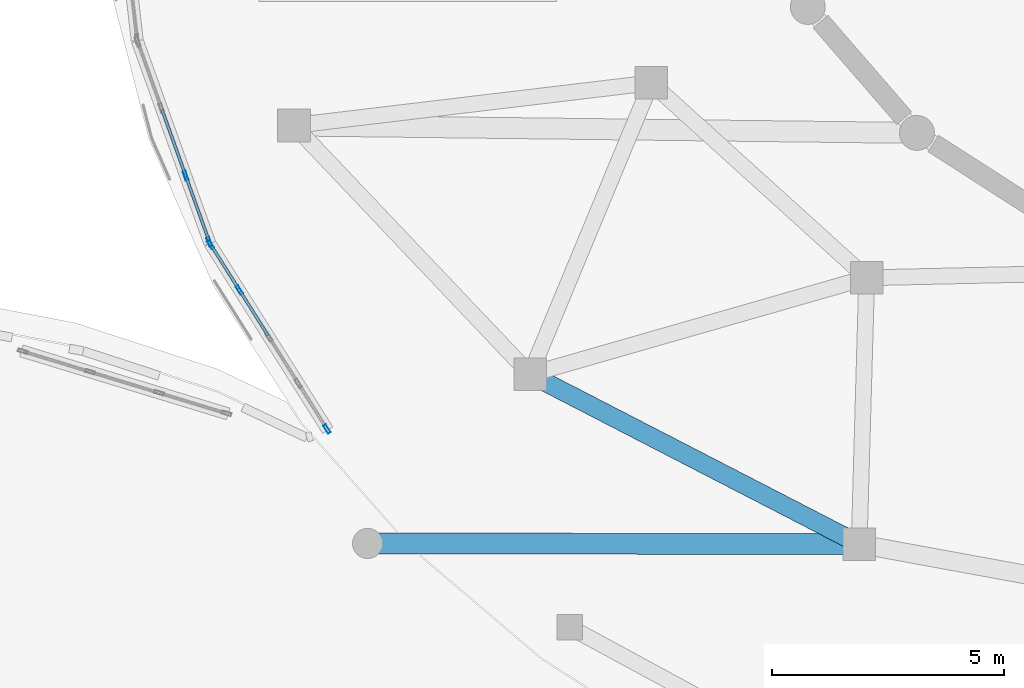
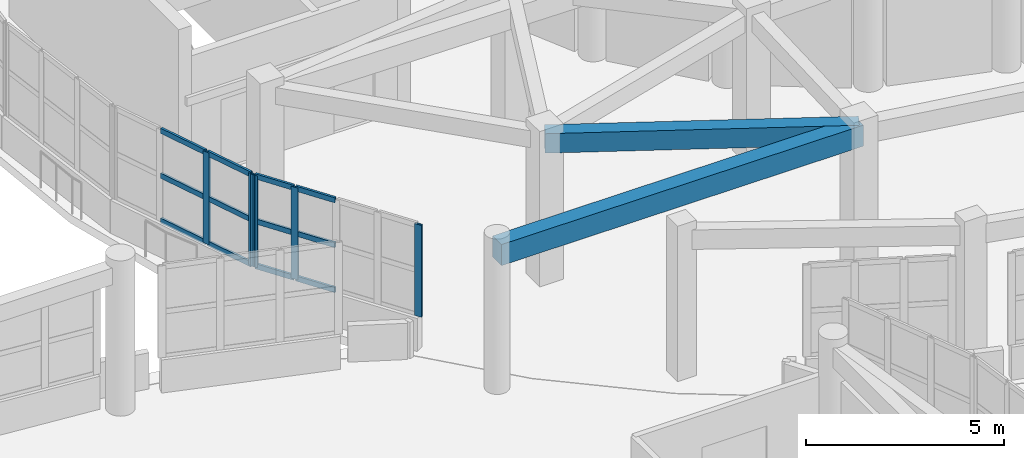
# One storey, part 35 of 98: 17 members, 2 beams, 2 elements without a shape of their own.
"""IFC4 building model written with IfcOpenShell, lengths in metres."""

from ifc_helpers import new_model, si_unit, direction, frame, origin, origin_2d, place, context, subcontext, project, spatial, rectangle, hollow_rectangle, extrude, material, layer, layer_set, material_profile, profile_set, type_object, element, aggregate, save


model = new_model("IFC4")

# Units and contexts
model_context = context("Model", 3, precision=1e-05, world=origin(), true_north=direction((0.0, 1.0)))
body_context = subcontext(model_context, "Body", "Model", "MODEL_VIEW")
ifc_project = project(units=[si_unit("LENGTHUNIT", "METRE"), si_unit("AREAUNIT", "SQUARE_METRE"), si_unit("VOLUMEUNIT", "CUBIC_METRE"), si_unit("PLANEANGLEUNIT", "RADIAN"), si_unit("MASSUNIT", "GRAM", prefix="KILO")], contexts=[model_context])

# Site, building, storey
site_placement = place(None, origin())
site = spatial("IfcSite", under=ifc_project, at=site_placement, CompositionType="ELEMENT")
building_placement = place(site_placement, origin())
building = spatial("IfcBuilding", under=site, at=building_placement, Name="Pelvatis Terrace Science Centre", CompositionType="ELEMENT")
storey_placement = place(building_placement, frame((0.0, 0.0, 5.39990234375)))
storey = spatial("IfcBuildingStorey", under=building, at=storey_placement, Name="L01", CompositionType="ELEMENT", Elevation=5.39990234375)

# Beams
ifc_material_1 = material(Name="Concrete C35/45", Category="concrete")
ifc_material_profile_1 = material_profile(ifc_material_1, rectangle(XDim=0.39990234375, YDim=0.60009765625, at=origin_2d()), Name="RC-BM 400x600")
ifc_profile_set_1 = profile_set([ifc_material_profile_1], Name="Concrete C35/45")
beam_type_1 = type_object("IfcBeamType", Name="BM-RC-400x600", PredefinedType="BEAM", material=ifc_profile_set_1)
beam_1_placement = place(storey_placement, frame((92.62744140625, 71.0849609375, 4.239990234375), z_axis=(0.888740331854, -0.458410975585, 0.0), x_axis=(0.458410975585, 0.888740331854, 0.0)))
element("IfcBeam", 1, at=beam_1_placement, inside=storey, type_object=beam_type_1, Name="Beam BM-L01-2638", PredefinedType="BEAM", context=body_context, shape_type="SweptSolid", body=[
    extrude(rectangle(XDim=0.39990234375, YDim=0.60009765625, at=origin_2d()), origin(), (0.0, 0.0, 1.0), 7.963623046875),
])
ifc_material_2 = material(Name="Concrete C35/45", Category="concrete")
ifc_material_profile_2 = material_profile(ifc_material_2, rectangle(XDim=0.449951171875, YDim=0.64990234375, at=origin_2d()), Name="RC-BM 450x650")
ifc_profile_set_2 = profile_set([ifc_material_profile_2], Name="Concrete C35/45")
beam_type_2 = type_object("IfcBeamType", Name="BM-RC-450x650", PredefinedType="BEAM", material=ifc_profile_set_2)
beam_2_placement = place(storey_placement, frame((89.132568359375, 67.44775390625, 4.215087890625), z_axis=(0.999999193473, -0.00127006017, 0.0), x_axis=(0.00127006017, 0.999999193473, 0.0)))
element("IfcBeam", 2, at=beam_2_placement, inside=storey, type_object=beam_type_2, Name="Beam BM-L01-2571", PredefinedType="BEAM", context=body_context, shape_type="SweptSolid", body=[
    extrude(rectangle(XDim=0.449951171875, YDim=0.64990234375, at=origin_2d()), origin(), (0.0, 0.0, 1.0), 10.572509765625),
])

# Curtain wall, members
ifc_material_3 = material(Name="Bronze-anodised aluminium and laminated glass", Category="aluminium")
ifc_layer = layer(ifc_material_3, 0.199951171875)
ifc_layer_set = layer_set([ifc_layer], Name="Bronze-anodised aluminium and laminated glass")
curtain_wall_type = type_object("IfcCurtainWallType", Name="CW-RIBBON-B", PredefinedType="NOTDEFINED", material=ifc_layer_set)
curtain_wall_1_placement = place(storey_placement, origin())
curtain_wall_1 = element("IfcCurtainWall", 3, at=curtain_wall_1_placement, inside=storey, type_object=curtain_wall_type, Name="Ribbon curtain wall CW-142 (L01)", PredefinedType="NOTDEFINED")
ifc_material_4 = material(Name="Bronze-anodised aluminium 6063-T6", Category="aluminium")
ifc_material_profile_3 = material_profile(ifc_material_4, hollow_rectangle(XDim=0.06494140625, YDim=0.199951171875, WallThickness=0.00439453125, at=origin_2d()), Name="ALU-MUL 65x200")
ifc_profile_set_3 = profile_set([ifc_material_profile_3], Name="Bronze-anodised aluminium 6063-T6")
member_type_1 = type_object("IfcMemberType", Name="CWM-65x200", PredefinedType="MULLION", material=ifc_profile_set_3)
member_1_placement = place(storey_placement, frame((85.21875, 75.3564453125, 1.02001953125), z_axis=(0.0, 0.0, 1.0), x_axis=(0.941441694511, 0.337175823328, 0.0)))
member_1 = element("IfcMember", 4, at=member_1_placement, type_object=member_type_1, Name="CW-142 mullion 3", PredefinedType="MULLION", context=body_context, shape_type="SweptSolid", body=[
    extrude(hollow_rectangle(XDim=0.06494140625, YDim=0.199951171875, WallThickness=0.00439453125, at=origin_2d()), origin(), (0.0, 0.0, 1.0), 2.840087890625),
])
member_2_placement = place(storey_placement, frame((85.728515625, 73.93310546875, 1.02001953125), z_axis=(0.0, 0.0, 1.0), x_axis=(0.941441694511, 0.337175823328, 0.0)))
member_2 = element("IfcMember", 5, at=member_2_placement, type_object=member_type_1, Name="CW-142 mullion 4", PredefinedType="MULLION", context=body_context, shape_type="SweptSolid", body=[
    extrude(hollow_rectangle(XDim=0.06494140625, YDim=0.199951171875, WallThickness=0.00439453125, at=origin_2d()), origin(), (0.0, 0.0, 1.0), 2.840087890625),
])

curtain_wall_2_placement = place(storey_placement, origin())
curtain_wall_2 = element("IfcCurtainWall", 6, at=curtain_wall_2_placement, inside=storey, type_object=curtain_wall_type, Name="Ribbon curtain wall CW-143 (L01)", PredefinedType="NOTDEFINED")
member_3_placement = place(storey_placement, frame((85.7568359375, 73.875, 1.02001953125), z_axis=(0.0, 0.0, 1.0), x_axis=(0.845678324599, 0.533692956019, 0.0)))
member_3 = element("IfcMember", 7, at=member_3_placement, type_object=member_type_1, Name="CW-143 mullion 1", PredefinedType="MULLION", context=body_context, shape_type="SweptSolid", body=[
    extrude(hollow_rectangle(XDim=0.06494140625, YDim=0.199951171875, WallThickness=0.00439453125, at=origin_2d()), origin(), (0.0, 0.0, 1.0), 2.840087890625),
])
member_4_placement = place(storey_placement, frame((86.373779296875, 72.897705078125, 1.02001953125), z_axis=(0.0, 0.0, 1.0), x_axis=(0.845678324599, 0.533692956019, 0.0)))
member_4 = element("IfcMember", 8, at=member_4_placement, type_object=member_type_1, Name="CW-143 mullion 2", PredefinedType="MULLION", context=body_context, shape_type="SweptSolid", body=[
    extrude(hollow_rectangle(XDim=0.06494140625, YDim=0.199951171875, WallThickness=0.00439453125, at=origin_2d()), origin(), (0.0, 0.0, 1.0), 2.840087890625),
])
member_5_placement = place(storey_placement, frame((88.2587890625, 69.910400390625, 1.02001953125), z_axis=(0.0, 0.0, 1.0), x_axis=(0.845678324599, 0.533692956019, 0.0)))
member_5 = element("IfcMember", 9, at=member_5_placement, type_object=member_type_1, Name="CW-143 mullion 5", PredefinedType="MULLION", context=body_context, shape_type="SweptSolid", body=[
    extrude(hollow_rectangle(XDim=0.06494140625, YDim=0.199951171875, WallThickness=0.00439453125, at=origin_2d()), origin(), (0.0, 0.0, 1.0), 2.840087890625),
])

# Member
ifc_material_5 = material(Name="Bronze-anodised aluminium 6063-T6", Category="aluminium")
ifc_material_profile_4 = material_profile(ifc_material_5, hollow_rectangle(XDim=0.06494140625, YDim=0.159912109375, WallThickness=0.00390625, at=origin_2d()), Name="ALU-TRN 65x160")
ifc_profile_set_4 = profile_set([ifc_material_profile_4], Name="Bronze-anodised aluminium 6063-T6")
member_type_2 = type_object("IfcMemberType", Name="CWT-65x160", PredefinedType="USERDEFINED", material=ifc_profile_set_4)
member_6_placement = place(storey_placement, frame((84.708984375, 76.77978515625, 1.052490234375), z_axis=(0.337141226133, -0.941454084723, 0.0), x_axis=(0.941454084723, 0.337141226133, 0.0)))
member_6 = element("IfcMember", 10, at=member_6_placement, type_object=member_type_2, Name="CW-142 transom 2.1", ObjectType="TRANSOM", PredefinedType="USERDEFINED", context=body_context, shape_type="SweptSolid", body=[
    extrude(hollow_rectangle(XDim=0.06494140625, YDim=0.159912109375, WallThickness=0.00390625, at=origin_2d()), origin(), (0.0, 0.0, 1.0), 1.4794921875),
])

member_7_placement = place(storey_placement, frame((84.708984375, 76.77978515625, 2.440185546875), z_axis=(0.337141226133, -0.941454084723, 0.0), x_axis=(0.941454084723, 0.337141226133, 0.0)))
member_7 = element("IfcMember", 11, at=member_7_placement, type_object=member_type_2, Name="CW-142 transom 2.2", ObjectType="TRANSOM", PredefinedType="USERDEFINED", context=body_context, shape_type="SweptSolid", body=[
    extrude(hollow_rectangle(XDim=0.06494140625, YDim=0.159912109375, WallThickness=0.00390625, at=origin_2d()), origin(), (0.0, 0.0, 1.0), 1.4794921875),
])

member_8_placement = place(storey_placement, frame((84.708984375, 76.77978515625, 3.82763671875), z_axis=(0.337141226133, -0.941454084723, 0.0), x_axis=(0.941454084723, 0.337141226133, 0.0)))
member_8 = element("IfcMember", 12, at=member_8_placement, type_object=member_type_2, Name="CW-142 transom 2.3", ObjectType="TRANSOM", PredefinedType="USERDEFINED", context=body_context, shape_type="SweptSolid", body=[
    extrude(hollow_rectangle(XDim=0.06494140625, YDim=0.159912109375, WallThickness=0.00390625, at=origin_2d()), origin(), (0.0, 0.0, 1.0), 1.4794921875),
])

member_9_placement = place(storey_placement, frame((85.229736328125, 75.325927734375, 1.052490234375), z_axis=(0.337159394427, -0.941447578333, 0.0), x_axis=(0.941447578333, 0.337159394427, 0.0)))
member_9 = element("IfcMember", 13, at=member_9_placement, type_object=member_type_2, Name="CW-142 transom 3.1", ObjectType="TRANSOM", PredefinedType="USERDEFINED", context=body_context, shape_type="SweptSolid", body=[
    extrude(hollow_rectangle(XDim=0.06494140625, YDim=0.159912109375, WallThickness=0.00390625, at=origin_2d()), origin(), (0.0, 0.0, 1.0), 1.44677734375),
])

member_10_placement = place(storey_placement, frame((85.229736328125, 75.325927734375, 2.440185546875), z_axis=(0.337159394427, -0.941447578333, 0.0), x_axis=(0.941447578333, 0.337159394427, 0.0)))
member_10 = element("IfcMember", 14, at=member_10_placement, type_object=member_type_2, Name="CW-142 transom 3.2", ObjectType="TRANSOM", PredefinedType="USERDEFINED", context=body_context, shape_type="SweptSolid", body=[
    extrude(hollow_rectangle(XDim=0.06494140625, YDim=0.159912109375, WallThickness=0.00390625, at=origin_2d()), origin(), (0.0, 0.0, 1.0), 1.44677734375),
])

member_11_placement = place(storey_placement, frame((85.229736328125, 75.325927734375, 3.82763671875), z_axis=(0.337159394427, -0.941447578333, 0.0), x_axis=(0.941447578333, 0.337159394427, 0.0)))
member_11 = element("IfcMember", 15, at=member_11_placement, type_object=member_type_2, Name="CW-142 transom 3.3", ObjectType="TRANSOM", PredefinedType="USERDEFINED", context=body_context, shape_type="SweptSolid", body=[
    extrude(hollow_rectangle(XDim=0.06494140625, YDim=0.159912109375, WallThickness=0.00390625, at=origin_2d()), origin(), (0.0, 0.0, 1.0), 1.44677734375),
])

aggregate(curtain_wall_1, [member_1, member_2, member_6, member_7, member_8, member_9, member_10, member_11])

member_12_placement = place(storey_placement, frame((85.774169921875, 73.84765625, 1.052490234375), z_axis=(0.533816137946, -0.845600574071, 0.0), x_axis=(0.845600574071, 0.533816137946, 0.0)))
member_12 = element("IfcMember", 16, at=member_12_placement, type_object=member_type_2, Name="CW-143 transom 1.1", ObjectType="TRANSOM", PredefinedType="USERDEFINED", context=body_context, shape_type="SweptSolid", body=[
    extrude(hollow_rectangle(XDim=0.06494140625, YDim=0.159912109375, WallThickness=0.00390625, at=origin_2d()), origin(), (0.0, 0.0, 1.0), 1.0908203125),
])

member_13_placement = place(storey_placement, frame((85.774169921875, 73.84765625, 2.440185546875), z_axis=(0.533816137946, -0.845600574071, 0.0), x_axis=(0.845600574071, 0.533816137946, 0.0)))
member_13 = element("IfcMember", 17, at=member_13_placement, type_object=member_type_2, Name="CW-143 transom 1.2", ObjectType="TRANSOM", PredefinedType="USERDEFINED", context=body_context, shape_type="SweptSolid", body=[
    extrude(hollow_rectangle(XDim=0.06494140625, YDim=0.159912109375, WallThickness=0.00390625, at=origin_2d()), origin(), (0.0, 0.0, 1.0), 1.0908203125),
])

member_14_placement = place(storey_placement, frame((85.774169921875, 73.84765625, 3.82763671875), z_axis=(0.533816137946, -0.845600574071, 0.0), x_axis=(0.845600574071, 0.533816137946, 0.0)))
member_14 = element("IfcMember", 18, at=member_14_placement, type_object=member_type_2, Name="CW-143 transom 1.3", ObjectType="TRANSOM", PredefinedType="USERDEFINED", context=body_context, shape_type="SweptSolid", body=[
    extrude(hollow_rectangle(XDim=0.06494140625, YDim=0.159912109375, WallThickness=0.00390625, at=origin_2d()), origin(), (0.0, 0.0, 1.0), 1.0908203125),
])

member_15_placement = place(storey_placement, frame((86.39111328125, 72.8701171875, 1.052490234375), z_axis=(0.533608582225, -0.845731565555, 0.0), x_axis=(0.845731565555, 0.533608582225, 0.0)))
member_15 = element("IfcMember", 19, at=member_15_placement, type_object=member_type_2, Name="CW-143 transom 2.1", ObjectType="TRANSOM", PredefinedType="USERDEFINED", context=body_context, shape_type="SweptSolid", body=[
    extrude(hollow_rectangle(XDim=0.06494140625, YDim=0.159912109375, WallThickness=0.00390625, at=origin_2d()), origin(), (0.0, 0.0, 1.0), 1.123291015625),
])

member_16_placement = place(storey_placement, frame((86.39111328125, 72.8701171875, 2.440185546875), z_axis=(0.533608582225, -0.845731565555, 0.0), x_axis=(0.845731565555, 0.533608582225, 0.0)))
member_16 = element("IfcMember", 20, at=member_16_placement, type_object=member_type_2, Name="CW-143 transom 2.2", ObjectType="TRANSOM", PredefinedType="USERDEFINED", context=body_context, shape_type="SweptSolid", body=[
    extrude(hollow_rectangle(XDim=0.06494140625, YDim=0.159912109375, WallThickness=0.00390625, at=origin_2d()), origin(), (0.0, 0.0, 1.0), 1.123291015625),
])

member_17_placement = place(storey_placement, frame((86.39111328125, 72.8701171875, 3.82763671875), z_axis=(0.533608582225, -0.845731565555, 0.0), x_axis=(0.845731565555, 0.533608582225, 0.0)))
member_17 = element("IfcMember", 21, at=member_17_placement, type_object=member_type_2, Name="CW-143 transom 2.3", ObjectType="TRANSOM", PredefinedType="USERDEFINED", context=body_context, shape_type="SweptSolid", body=[
    extrude(hollow_rectangle(XDim=0.06494140625, YDim=0.159912109375, WallThickness=0.00390625, at=origin_2d()), origin(), (0.0, 0.0, 1.0), 1.123291015625),
])

aggregate(curtain_wall_2, [member_3, member_4, member_5, member_12, member_13, member_14, member_15, member_16, member_17])

save(model, "model.ifc")
